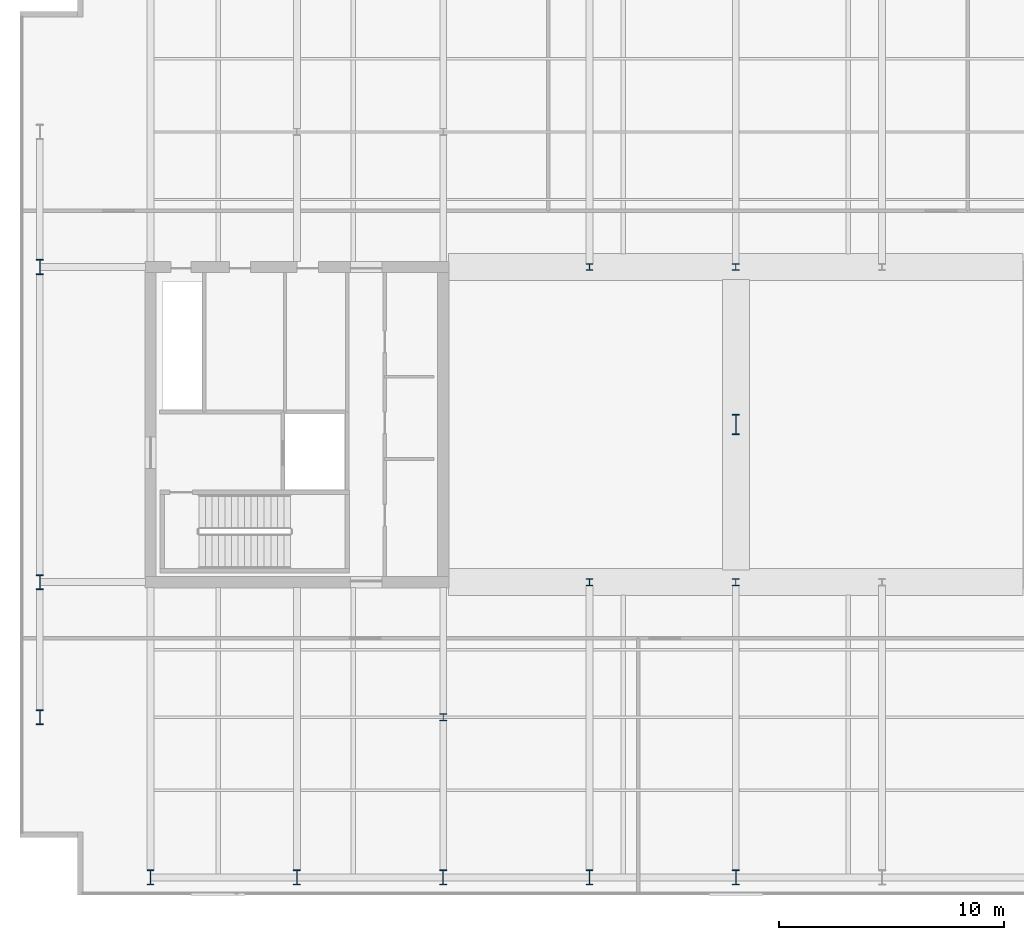
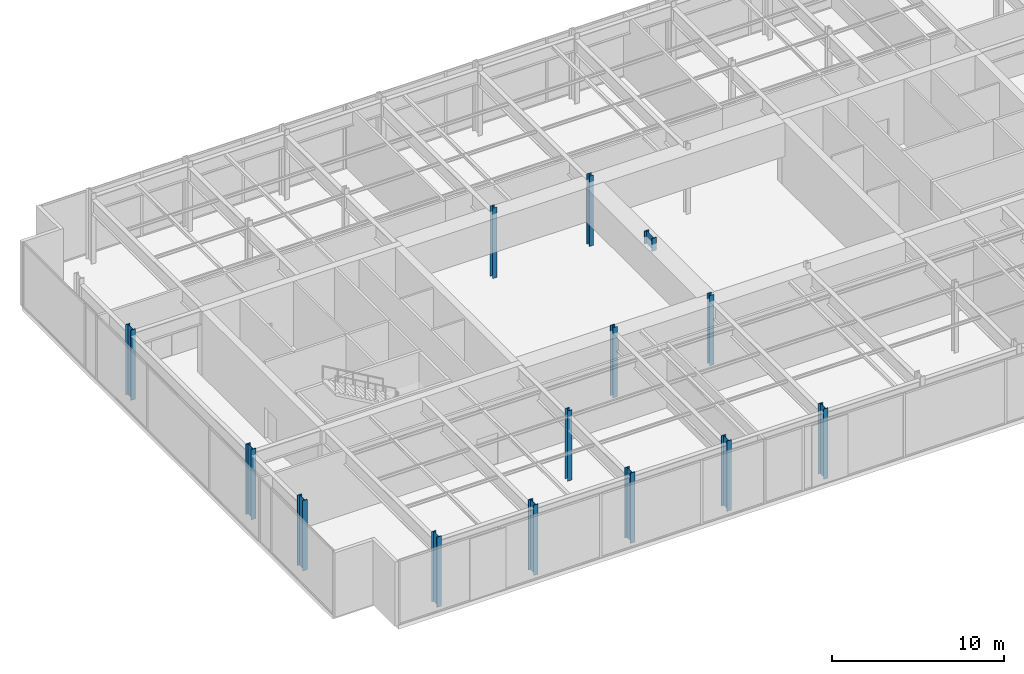
# One storey, part 1 of 21: 14 columns.
"""IFC4 building model written with IfcOpenShell, lengths in metres."""

from ifc_helpers import new_model, si_unit, direction, frame, origin, origin_2d, place, context, subcontext, project, spatial, i_section, extrude, material, material_profile, profile_set, type_object, element, save


model = new_model("IFC4")

# Units and contexts
model_context = context("Model", 3, precision=1e-05, world=origin(), true_north=direction((0.0, 1.0)))
body_context = subcontext(model_context, "Body", "Model", "MODEL_VIEW")
ifc_project = project(units=[si_unit("LENGTHUNIT", "METRE"), si_unit("AREAUNIT", "SQUARE_METRE"), si_unit("VOLUMEUNIT", "CUBIC_METRE"), si_unit("PLANEANGLEUNIT", "RADIAN"), si_unit("MASSUNIT", "GRAM", prefix="KILO")], contexts=[model_context])

# Site, building, storey
site_placement = place(None, origin())
site = spatial("IfcSite", under=ifc_project, at=site_placement, CompositionType="ELEMENT")
building_placement = place(site_placement, origin())
building = spatial("IfcBuilding", under=site, at=building_placement, Name="Putna Gate Headquarters", CompositionType="ELEMENT")
storey_placement = place(building_placement, frame((0.0, 0.0, 315.39990234375)))
storey = spatial("IfcBuildingStorey", under=building, at=storey_placement, Name="L79", CompositionType="ELEMENT", Elevation=315.39990234375)

# Columns
ifc_material = material(Name="Steel S460M", Category="steel")
ifc_material_profile_1 = material_profile(ifc_material, i_section(OverallWidth=0.300048828125, OverallDepth=0.300048828125, WebThickness=0.010986328125, FlangeThickness=0.01904296875, at=origin_2d()), Name="Steel S460M")
ifc_profile_set_1 = profile_set([ifc_material_profile_1], Name="Steel S460M")
column_type_1 = type_object("IfcColumnType", Name="COL-STL-HEB300-CRN", PredefinedType="COLUMN", material=ifc_profile_set_1)
for number, where, z_axis, x_axis, name in (
    (1, (32.5, 19.0, 0.0), (0.0, 0.0, 1.0), (1.0, 0.0, 0.0), "L79 Column CAI-S32"),
    (2, (32.5, 33.0, 0.0), (0.0, 0.0, 1.0), (1.0, 0.0, 0.0), "L79 Column CAI-N32"),
    (3, (39.0, 19.0, 0.0), (0.0, 0.0, 1.0), (1.0, 0.0, 0.0), "L79 Column CAI-S39"),
    (4, (39.0, 33.0, 0.0), (0.0, 0.0, 1.0), (1.0, 0.0, 0.0), "L79 Column CAI-N39"),
    (5, (26.0, 13.0, 0.0), (0.0, 0.0, 1.0), (1.0, 0.0, 0.0), "L79 Column CAP-WS"),
):
    element("IfcColumn", number, at=place(storey_placement, frame(where, z_axis=z_axis, x_axis=x_axis)), inside=storey, type_object=column_type_1, Name=name, PredefinedType="COLUMN", context=body_context, shape_type="SweptSolid", body=[
        extrude(i_section(OverallWidth=0.300048828125, OverallDepth=0.300048828125, WebThickness=0.010986328125, FlangeThickness=0.01904296875, at=origin_2d()), origin(), (0.0, 0.0, 1.0), 5.0),
    ])
ifc_material_profile_2 = material_profile(ifc_material, i_section(OverallWidth=0.304931640625, OverallDepth=0.66796875, WebThickness=0.02099609375, FlangeThickness=0.0400390625, at=origin_2d()), Name="Steel S460M")
ifc_profile_set_2 = profile_set([ifc_material_profile_2], Name="Steel S460M")
column_type_2 = type_object("IfcColumnType", Name="COL-STL-HEM650-EXT", PredefinedType="COLUMN", material=ifc_profile_set_2)
for number, where, z_axis, x_axis, name in (
    (6, (13.0, 5.8798828125, 0.0), (0.0, 0.0, 1.0), (1.0, 0.0, 0.0), "L79 Column CP-S13"),
    (7, (19.5, 5.8798828125, 0.0), (0.0, 0.0, 1.0), (1.0, 0.0, 0.0), "L79 Column CP-S19"),
    (8, (26.0, 5.8798828125, 0.0), (0.0, 0.0, 1.0), (1.0, 0.0, 0.0), "L79 Column CP-S26"),
    (9, (32.5, 5.8798828125, 0.0), (0.0, 0.0, 1.0), (1.0, 0.0, 0.0), "L79 Column CP-S32"),
    (10, (39.0, 5.8798828125, 0.0), (0.0, 0.0, 1.0), (1.0, 0.0, 0.0), "L79 Column CP-S39"),
    (11, (8.080078125, 13.0, 0.0), (0.0, 0.0, 1.0), (1.0, 0.0, 0.0), "L79 Column CP-W13"),
    (12, (8.080078125, 19.0, 0.0), (0.0, 0.0, 1.0), (1.0, 0.0, 0.0), "L79 Column CP-W19"),
    (13, (8.080078125, 33.0, 0.0), (0.0, 0.0, 1.0), (1.0, 0.0, 0.0), "L79 Column CP-W33"),
):
    element("IfcColumn", number, at=place(storey_placement, frame(where, z_axis=z_axis, x_axis=x_axis)), inside=storey, type_object=column_type_2, Name=name, PredefinedType="COLUMN", context=body_context, shape_type="SweptSolid", body=[
        extrude(i_section(OverallWidth=0.304931640625, OverallDepth=0.66796875, WebThickness=0.02099609375, FlangeThickness=0.0400390625, at=origin_2d()), origin(), (0.0, 0.0, 1.0), 5.0),
    ])
ifc_material_profile_3 = material_profile(ifc_material, i_section(OverallWidth=0.302001953125, OverallDepth=0.909912109375, WebThickness=0.02099609375, FlangeThickness=0.0400390625, at=origin_2d()), Name="Steel S460M")
ifc_profile_set_3 = profile_set([ifc_material_profile_3], Name="Steel S460M")
column_type_3 = type_object("IfcColumnType", Name="COL-TRUSS-POST-HEM900", PredefinedType="COLUMN", material=ifc_profile_set_3)
column_placement = place(storey_placement, frame((39.0, 26.0, 4.080078125), z_axis=(0.0, 0.0, 1.0), x_axis=(1.0, 0.0, 0.0)))
element("IfcColumn", 14, at=column_placement, inside=storey, type_object=column_type_3, Name="Spire Mast Transfer Pedestal Column", PredefinedType="COLUMN", context=body_context, shape_type="SweptSolid", body=[
    extrude(i_section(OverallWidth=0.302001953125, OverallDepth=0.909912109375, WebThickness=0.02099609375, FlangeThickness=0.0400390625, at=origin_2d()), origin(), (0.0, 0.0, 1.0), 0.919921875),
])

save(model, "model.ifc")
